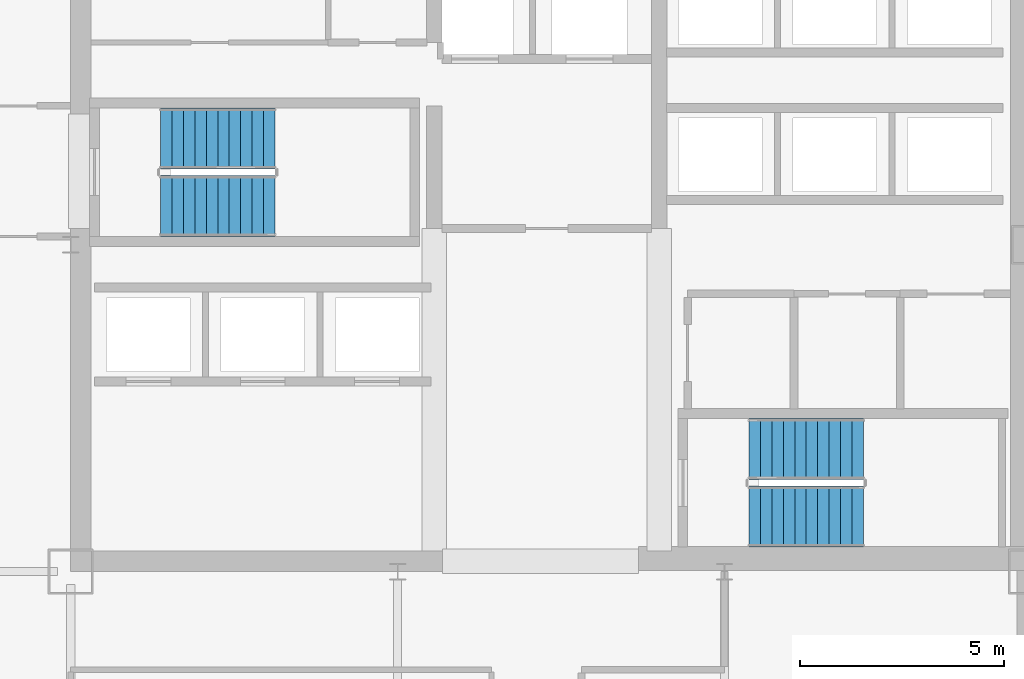
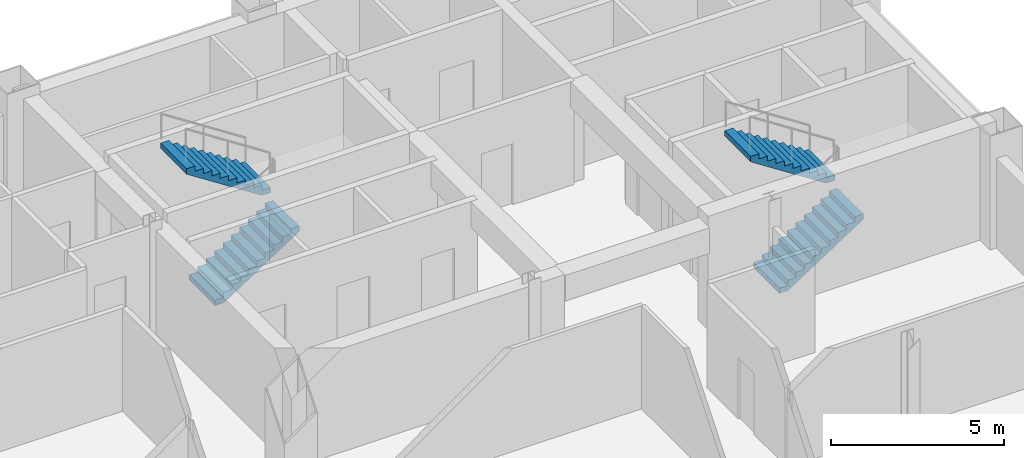
# One storey, part 8 of 10: 4 stair flights, 2 elements without a shape of their own.
"""IFC4 building model written with IfcOpenShell, lengths in metres."""

from ifc_helpers import new_model, si_unit, direction, frame, origin, place, context, subcontext, project, spatial, polyline, outline, extrude, material, type_object, element, aggregate, save


model = new_model("IFC4")

# Units and contexts
model_context = context("Model", 3, precision=1e-05, world=origin(), true_north=direction((0.0, 1.0)))
body_context = subcontext(model_context, "Body", "Model", "MODEL_VIEW")
ifc_project = project(units=[si_unit("LENGTHUNIT", "METRE"), si_unit("AREAUNIT", "SQUARE_METRE"), si_unit("VOLUMEUNIT", "CUBIC_METRE"), si_unit("PLANEANGLEUNIT", "RADIAN"), si_unit("MASSUNIT", "GRAM", prefix="KILO")], contexts=[model_context])

# Site, building, storey
site_placement = place(None, origin())
site = spatial("IfcSite", under=ifc_project, at=site_placement, CompositionType="ELEMENT")
building_placement = place(site_placement, origin())
building = spatial("IfcBuilding", under=site, at=building_placement, Name="Qianrong Seaharbour Tower", CompositionType="ELEMENT")
storey_placement = place(building_placement, frame((0.0, 0.0, 191.0)))
storey = spatial("IfcBuildingStorey", under=building, at=storey_placement, Name="L46", CompositionType="ELEMENT", Elevation=191.0)

# Stair, stair flights
ifc_material = material(Name="Concrete C50/60", Category="concrete")
stair_type = type_object("IfcStairType", Name="STAIR-DOGLEG-1500-R22", PredefinedType="HALF_TURN_STAIR", material=ifc_material)
stair_1_placement = place(storey_placement, origin())
stair_1 = element("IfcStair", 1, at=stair_1_placement, inside=storey, type_object=stair_type, Name="L46 Protected Escape Stair ST-1", PredefinedType="HALF_TURN_STAIR")
stair_flight_type = type_object("IfcStairFlightType", Name="FLIGHT-STR-1500-R22", PredefinedType="STRAIGHT", material=ifc_material)
stair_flight_1_placement = place(storey_placement, frame((42.699951171875, 44.949951171875, 0.0), z_axis=(0.0, 0.0, 1.0), x_axis=(1.0, 0.0, 0.0)))
stair_flight_1 = element("IfcStairFlight", 2, at=stair_flight_1_placement, type_object=stair_flight_type, Name="ST-1 flight 1", NumberOfRisers=11, NumberOfTreads=10, PredefinedType="STRAIGHT", RiserHeight=0.181818182, TreadLength=0.28, context=body_context, shape_type="SweptSolid", body=[
    extrude(outline(polyline([(0.0, 0.0), (0.0, 0.181884765625), (0.280029296875, 0.181884765625), (0.280029296875, 0.363525390625), (0.56005859375, 0.363525390625), (0.56005859375, 0.54541015625), (0.840087890625, 0.54541015625), (0.840087890625, 0.727294921875), (1.1201171875, 0.727294921875), (1.1201171875, 0.9091796875), (1.39990234375, 0.9091796875), (1.39990234375, 1.0908203125), (1.679931640625, 1.0908203125), (1.679931640625, 1.272705078125), (1.9599609375, 1.272705078125), (1.9599609375, 1.45458984375), (2.239990234375, 1.45458984375), (2.239990234375, 1.636474609375), (2.52001953125, 1.636474609375), (2.52001953125, 1.818115234375), (2.800048828125, 1.818115234375), (2.800048828125, 2.0), (2.800048828125, 1.62744140625), (0.293701171875, 0.0), (0.0, 0.0)])), frame((0.0, 0.75, 0.0), z_axis=(0.0, -1.0, 0.0), x_axis=(1.0, 0.0, 0.0)), (0.0, 0.0, 1.0), 1.5),
])
stair_flight_2_placement = place(storey_placement, frame((45.5, 46.60009765625, 2.0), z_axis=(0.0, 0.0, 1.0), x_axis=(-1.0, 0.0, 0.0)))
stair_flight_2 = element("IfcStairFlight", 3, at=stair_flight_2_placement, type_object=stair_flight_type, Name="ST-1 flight 2", NumberOfRisers=11, NumberOfTreads=10, PredefinedType="STRAIGHT", RiserHeight=0.181818182, TreadLength=0.28, context=body_context, shape_type="SweptSolid", body=[
    extrude(outline(polyline([(0.0, 0.0), (0.0, 0.181884765625), (0.280029296875, 0.181884765625), (0.280029296875, 0.363525390625), (0.56005859375, 0.363525390625), (0.56005859375, 0.54541015625), (0.840087890625, 0.54541015625), (0.840087890625, 0.727294921875), (1.1201171875, 0.727294921875), (1.1201171875, 0.9091796875), (1.39990234375, 0.9091796875), (1.39990234375, 1.0908203125), (1.679931640625, 1.0908203125), (1.679931640625, 1.272705078125), (1.9599609375, 1.272705078125), (1.9599609375, 1.45458984375), (2.239990234375, 1.45458984375), (2.239990234375, 1.636474609375), (2.52001953125, 1.636474609375), (2.52001953125, 1.818115234375), (2.800048828125, 1.818115234375), (2.800048828125, 2.0), (2.800048828125, 1.62744140625), (0.293701171875, 0.0), (0.0, 0.0)])), frame((0.0, 0.75, 0.0), z_axis=(0.0, -1.0, 0.0), x_axis=(1.0, 0.0, 0.0)), (0.0, 0.0, 1.0), 1.5),
])
aggregate(stair_1, [stair_flight_1, stair_flight_2])

stair_2_placement = place(storey_placement, origin())
stair_2 = element("IfcStair", 4, at=stair_2_placement, inside=storey, type_object=stair_type, Name="L46 Protected Escape Stair ST-2", PredefinedType="HALF_TURN_STAIR")
stair_flight_3_placement = place(storey_placement, frame((57.10009765625, 37.35009765625, 0.0), z_axis=(0.0, 0.0, 1.0), x_axis=(1.0, 0.0, 0.0)))
stair_flight_3 = element("IfcStairFlight", 5, at=stair_flight_3_placement, type_object=stair_flight_type, Name="ST-2 flight 1", NumberOfRisers=11, NumberOfTreads=10, PredefinedType="STRAIGHT", RiserHeight=0.181818182, TreadLength=0.28, context=body_context, shape_type="SweptSolid", body=[
    extrude(outline(polyline([(0.0, 0.0), (0.0, 0.181884765625), (0.280029296875, 0.181884765625), (0.280029296875, 0.363525390625), (0.56005859375, 0.363525390625), (0.56005859375, 0.54541015625), (0.840087890625, 0.54541015625), (0.840087890625, 0.727294921875), (1.1201171875, 0.727294921875), (1.1201171875, 0.9091796875), (1.39990234375, 0.9091796875), (1.39990234375, 1.0908203125), (1.679931640625, 1.0908203125), (1.679931640625, 1.272705078125), (1.9599609375, 1.272705078125), (1.9599609375, 1.45458984375), (2.239990234375, 1.45458984375), (2.239990234375, 1.636474609375), (2.52001953125, 1.636474609375), (2.52001953125, 1.818115234375), (2.800048828125, 1.818115234375), (2.800048828125, 2.0), (2.800048828125, 1.62744140625), (0.293701171875, 0.0), (0.0, 0.0)])), frame((0.0, 0.75, 0.0), z_axis=(0.0, -1.0, 0.0), x_axis=(1.0, 0.0, 0.0)), (0.0, 0.0, 1.0), 1.5),
])
stair_flight_4_placement = place(storey_placement, frame((59.89990234375, 39.0, 2.0), z_axis=(0.0, 0.0, 1.0), x_axis=(-1.0, 0.0, 0.0)))
stair_flight_4 = element("IfcStairFlight", 6, at=stair_flight_4_placement, type_object=stair_flight_type, Name="ST-2 flight 2", NumberOfRisers=11, NumberOfTreads=10, PredefinedType="STRAIGHT", RiserHeight=0.181818182, TreadLength=0.28, context=body_context, shape_type="SweptSolid", body=[
    extrude(outline(polyline([(0.0, 0.0), (0.0, 0.181884765625), (0.280029296875, 0.181884765625), (0.280029296875, 0.363525390625), (0.56005859375, 0.363525390625), (0.56005859375, 0.54541015625), (0.840087890625, 0.54541015625), (0.840087890625, 0.727294921875), (1.1201171875, 0.727294921875), (1.1201171875, 0.9091796875), (1.39990234375, 0.9091796875), (1.39990234375, 1.0908203125), (1.679931640625, 1.0908203125), (1.679931640625, 1.272705078125), (1.9599609375, 1.272705078125), (1.9599609375, 1.45458984375), (2.239990234375, 1.45458984375), (2.239990234375, 1.636474609375), (2.52001953125, 1.636474609375), (2.52001953125, 1.818115234375), (2.800048828125, 1.818115234375), (2.800048828125, 2.0), (2.800048828125, 1.62744140625), (0.293701171875, 0.0), (0.0, 0.0)])), frame((0.0, 0.75, 0.0), z_axis=(0.0, -1.0, 0.0), x_axis=(1.0, 0.0, 0.0)), (0.0, 0.0, 1.0), 1.5),
])
aggregate(stair_2, [stair_flight_3, stair_flight_4])

save(model, "model.ifc")
